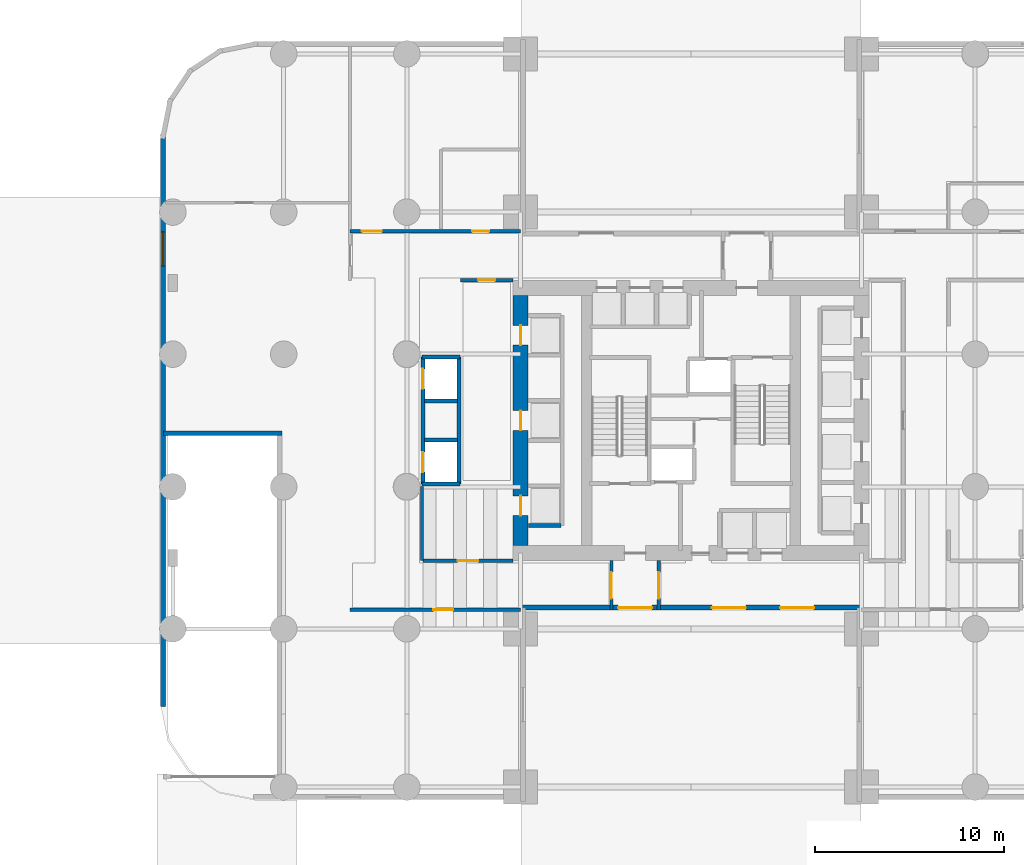
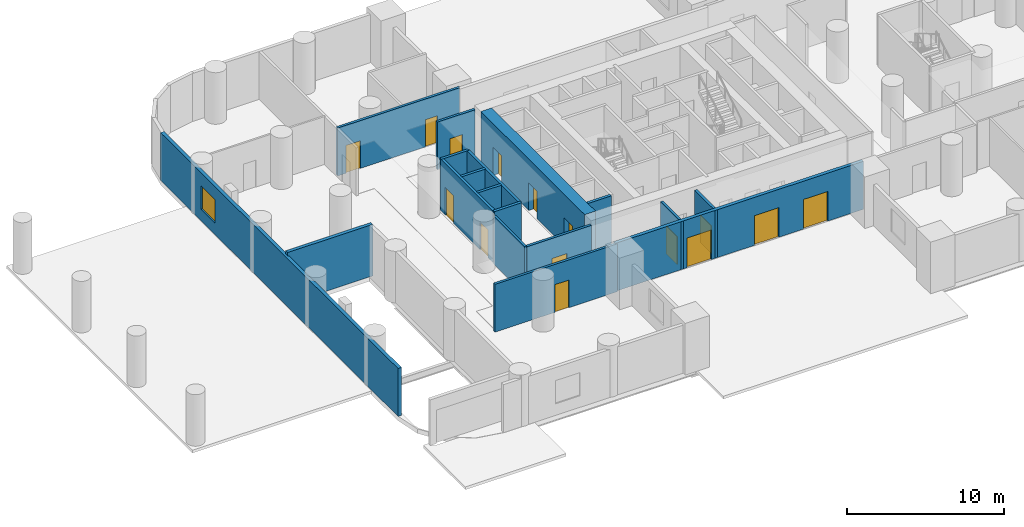
# One storey, part 3 of 10: 18 walls, 15 doors, 1 window, 16 openings.
"""IFC4 building model written with IfcOpenShell, lengths in metres."""

from ifc_helpers import new_model, si_unit, direction, frame, frame_2d, origin, place, context, subcontext, project, spatial, rectangle, extrude, material, layer, layer_set, type_object, element, fill, save


model = new_model("IFC4")

# Units and contexts
model_context = context("Model", 3, precision=1e-05, world=origin(), true_north=direction((0.0, 1.0)))
body_context = subcontext(model_context, "Body", "Model", "MODEL_VIEW")
ifc_project = project(units=[si_unit("LENGTHUNIT", "METRE"), si_unit("AREAUNIT", "SQUARE_METRE"), si_unit("VOLUMEUNIT", "CUBIC_METRE"), si_unit("PLANEANGLEUNIT", "RADIAN"), si_unit("MASSUNIT", "GRAM", prefix="KILO")], contexts=[model_context])

# Site, building, storey
site_placement = place(None, origin())
site = spatial("IfcSite", under=ifc_project, at=site_placement, CompositionType="ELEMENT")
building_placement = place(site_placement, origin())
building = spatial("IfcBuilding", under=site, at=building_placement, Name="Veldorim Arch Residences", CompositionType="ELEMENT")
storey_placement = place(building_placement, origin())
storey = spatial("IfcBuildingStorey", under=building, at=storey_placement, Name="L00", CompositionType="ELEMENT", Elevation=0.0)

# Wall, opening, door
ifc_material_1 = material(Name="Lightweight Masonry Block & Gypsum", Category="masonry")
ifc_layer_1 = layer(ifc_material_1, 0.179931640625, Name="Compartment & Corridor Fire-Rated Party Wall 180")
ifc_layer_set_1 = layer_set([ifc_layer_1], Name="Lightweight Masonry Block & Gypsum")
wall_type_1 = type_object("IfcWallType", Name="Compartment & Corridor Fire-Rated Party Wall 180", PredefinedType="PARTITIONING", material=ifc_layer_set_1)
wall_1_placement = place(storey_placement, frame((30.300048828125, 16.60009765625, 0.0), z_axis=(0.0, 0.0, 1.0), x_axis=(0.0, -1.0, 0.0)))
wall_1 = element("IfcWall", 1, at=wall_1_placement, inside=storey, type_object=wall_type_1, Name="L00 interior wall WL-POD-L00-001", PredefinedType="PARTITIONING", context=body_context, shape_type="SweptSolid", body=[
    extrude(rectangle(XDim=2.60009765625, YDim=0.179931640625, at=frame_2d((1.300048828125, 0.0))), origin(), (0.0, 0.0, 1.0), 3.715087890625),
])
opening_1_placement = place(wall_1_placement, frame((0.60009765625, 0.0, 0.0)))
opening_1 = element("IfcOpeningElement", 2, at=opening_1_placement, cuts=wall_1, Name="Opening DR-LBY", PredefinedType="OPENING", context=body_context, shape_type="SweptSolid", body=[
    extrude(rectangle(XDim=1.39990234375, YDim=2.14990234375, at=frame_2d((0.699951171875, 1.074951171875))), frame((0.0, 0.099853515625, 0.0), z_axis=(0.0, -1.0, 0.0), x_axis=(1.0, 0.0, 0.0)), (0.0, 0.0, 1.0), 0.199951171875),
])
ifc_material_2 = material(Name="Aluminium & Fire Glass", Category="aluminium")
door_type_1 = type_object("IfcDoorType", Name="Lobby Double-Leaf Smoke-Control Door 1400x2150", OperationType="SINGLE_SWING_LEFT", PredefinedType="DOOR", material=ifc_material_2)
door_1_placement = place(opening_1_placement, origin())
door_1 = element("IfcDoor", 3, at=door_1_placement, inside=storey, type_object=door_type_1, Name="L00 interior door DR-POD-L00-LBY-15", OperationType="DOUBLE_DOOR_SINGLE_SWING", OverallHeight=2.14990234375, OverallWidth=1.39990234375, PredefinedType="DOOR", context=body_context, shape_type="SweptSolid", body=[
    extrude(rectangle(XDim=1.39990234375, YDim=2.14990234375, at=frame_2d((0.699951171875, 1.074951171875))), frame((0.0, 0.02490234375, 0.0), z_axis=(0.0, -1.0, 0.0), x_axis=(1.0, 0.0, 0.0)), (0.0, 0.0, 1.0), 0.050048828125),
])
fill(opening_1, door_1)

wall_2_placement = place(storey_placement, frame((27.800048828125, 14.0, 0.0), z_axis=(0.0, 0.0, 1.0), x_axis=(0.0, 1.0, 0.0)))
wall_2 = element("IfcWall", 4, at=wall_2_placement, inside=storey, type_object=wall_type_1, Name="L00 interior wall WL-POD-L00-002", PredefinedType="PARTITIONING", context=body_context, shape_type="SweptSolid", body=[
    extrude(rectangle(XDim=2.60009765625, YDim=0.179931640625, at=frame_2d((1.300048828125, 0.0))), origin(), (0.0, 0.0, 1.0), 3.715087890625),
])
opening_2_placement = place(wall_2_placement, frame((0.60009765625, 0.0, 0.0)))
opening_2 = element("IfcOpeningElement", 5, at=opening_2_placement, cuts=wall_2, Name="Opening DR-LBY", PredefinedType="OPENING", context=body_context, shape_type="SweptSolid", body=[
    extrude(rectangle(XDim=1.39990234375, YDim=2.14990234375, at=frame_2d((0.699951171875, 1.074951171875))), frame((0.0, 0.099853515625, 0.0), z_axis=(0.0, -1.0, 0.0), x_axis=(1.0, 0.0, 0.0)), (0.0, 0.0, 1.0), 0.199951171875),
])
door_2_placement = place(opening_2_placement, origin())
door_2 = element("IfcDoor", 6, at=door_2_placement, inside=storey, type_object=door_type_1, Name="L00 interior door DR-POD-L00-LBY-16", OperationType="DOUBLE_DOOR_SINGLE_SWING", OverallHeight=2.14990234375, OverallWidth=1.39990234375, PredefinedType="DOOR", context=body_context, shape_type="SweptSolid", body=[
    extrude(rectangle(XDim=1.39990234375, YDim=2.14990234375, at=frame_2d((0.699951171875, 1.074951171875))), frame((0.0, 0.02490234375, 0.0), z_axis=(0.0, -1.0, 0.0), x_axis=(1.0, 0.0, 0.0)), (0.0, 0.0, 1.0), 0.050048828125),
])
fill(opening_2, door_2)

# Wall
wall_3_placement = place(storey_placement, frame((17.800048828125, 20.52001953125, 0.0), z_axis=(0.0, 0.0, 1.0), x_axis=(0.0, -1.0, 0.0)))
element("IfcWall", 7, at=wall_3_placement, inside=storey, type_object=wall_type_1, Name="L00 interior wall WL-POD-L00-018", PredefinedType="PARTITIONING", context=body_context, shape_type="SweptSolid", body=[
    extrude(rectangle(XDim=3.919921875, YDim=0.179931640625, at=frame_2d((1.9599609375, 0.0))), origin(), (0.0, 0.0, 1.0), 3.715087890625),
])

# Wall, opening, door
wall_4_placement = place(storey_placement, frame((17.860107421875, 16.60009765625, 0.0), z_axis=(0.0, 0.0, 1.0), x_axis=(1.0, 0.0, 0.0)))
wall_4 = element("IfcWall", 8, at=wall_4_placement, inside=storey, type_object=wall_type_1, Name="L00 interior wall WL-POD-L00-019", PredefinedType="PARTITIONING", context=body_context, shape_type="SweptSolid", body=[
    extrude(rectangle(XDim=4.739990234375, YDim=0.179931640625, at=frame_2d((2.3701171875, 0.0))), origin(), (0.0, 0.0, 1.0), 3.715087890625),
])
opening_3_placement = place(wall_4_placement, frame((1.820068359375, 0.0, 0.0)))
opening_3 = element("IfcOpeningElement", 9, at=opening_3_placement, cuts=wall_4, Name="Opening DR-FCC", PredefinedType="OPENING", context=body_context, shape_type="SweptSolid", body=[
    extrude(rectangle(XDim=1.10009765625, YDim=2.14990234375, at=frame_2d((0.550048828125, 1.074951171875))), frame((0.0, 0.099853515625, 0.0), z_axis=(0.0, -1.0, 0.0), x_axis=(1.0, 0.0, 0.0)), (0.0, 0.0, 1.0), 0.199951171875),
])
ifc_material_3 = material(Name="Fire-Rated Steel", Category="steel")
door_type_2 = type_object("IfcDoorType", Name="Fire Command Centre Rated Security Door 1100x2150", OperationType="SINGLE_SWING_LEFT", PredefinedType="DOOR", material=ifc_material_3)
door_3_placement = place(opening_3_placement, origin())
door_3 = element("IfcDoor", 10, at=door_3_placement, inside=storey, type_object=door_type_2, Name="L00 interior door DR-POD-L00-001", OperationType="SINGLE_SWING_LEFT", OverallHeight=2.14990234375, OverallWidth=1.10009765625, PredefinedType="DOOR", context=body_context, shape_type="SweptSolid", body=[
    extrude(rectangle(XDim=1.10009765625, YDim=2.14990234375, at=frame_2d((0.550048828125, 1.074951171875))), frame((0.0, 0.02490234375, 0.0), z_axis=(0.0, -1.0, 0.0), x_axis=(1.0, 0.0, 0.0)), (0.0, 0.0, 1.0), 0.050048828125),
])
fill(opening_3, door_3)

wall_5_placement = place(storey_placement, frame((22.60009765625, 31.39990234375, 0.0), z_axis=(0.0, 0.0, 1.0), x_axis=(-1.0, 0.0, 0.0)))
wall_5 = element("IfcWall", 11, at=wall_5_placement, inside=storey, type_object=wall_type_1, Name="L00 interior wall WL-POD-L00-020", PredefinedType="PARTITIONING", context=body_context, shape_type="SweptSolid", body=[
    extrude(rectangle(XDim=2.77001953125, YDim=0.179931640625, at=frame_2d((1.385009765625, 0.0))), origin(), (0.0, 0.0, 1.0), 3.715087890625),
])
opening_4_placement = place(wall_5_placement, frame((0.93505859375, 0.0, 0.0)))
opening_4 = element("IfcOpeningElement", 12, at=opening_4_placement, cuts=wall_5, Name="Opening DR-INT", PredefinedType="OPENING", context=body_context, shape_type="SweptSolid", body=[
    extrude(rectangle(XDim=0.89990234375, YDim=2.10009765625, at=frame_2d((0.449951171875, 1.050048828125))), frame((0.0, 0.099853515625, 0.0), z_axis=(0.0, -1.0, 0.0), x_axis=(1.0, 0.0, 0.0)), (0.0, 0.0, 1.0), 0.199951171875),
])
ifc_material_4 = material(Name="Engineered Timber", Category="wood")
door_type_3 = type_object("IfcDoorType", Name="Apartment Internal Room Timber Door 900x2100", OperationType="SINGLE_SWING_LEFT", PredefinedType="DOOR", material=ifc_material_4)
door_4_placement = place(opening_4_placement, origin())
door_4 = element("IfcDoor", 13, at=door_4_placement, inside=storey, type_object=door_type_3, Name="L00 interior door DR-POD-L00-002", OperationType="SINGLE_SWING_RIGHT", OverallHeight=2.10009765625, OverallWidth=0.89990234375, PredefinedType="DOOR", context=body_context, shape_type="SweptSolid", body=[
    extrude(rectangle(XDim=0.89990234375, YDim=2.10009765625, at=frame_2d((0.449951171875, 1.050048828125))), frame((0.0, 0.02490234375, 0.0), z_axis=(0.0, -1.0, 0.0), x_axis=(1.0, 0.0, 0.0)), (0.0, 0.0, 1.0), 0.050048828125),
])
fill(opening_4, door_4)

wall_6_placement = place(storey_placement, frame((23.0, 14.0, 0.0), z_axis=(0.0, 0.0, 1.0), x_axis=(-1.0, 0.0, 0.0)))
wall_6 = element("IfcWall", 14, at=wall_6_placement, inside=storey, type_object=wall_type_1, Name="L00 interior wall WL-POD-L00-021", PredefinedType="PARTITIONING", context=body_context, shape_type="SweptSolid", body=[
    extrude(rectangle(XDim=9.0, YDim=0.179931640625, at=frame_2d((4.5, 0.0))), origin(), (0.0, 0.0, 1.0), 3.715087890625),
])
opening_5_placement = place(wall_6_placement, frame((3.554931640625, 0.0, 0.0)))
opening_5 = element("IfcOpeningElement", 15, at=opening_5_placement, cuts=wall_6, Name="Opening DR-CLN", PredefinedType="OPENING", context=body_context, shape_type="SweptSolid", body=[
    extrude(rectangle(XDim=1.050048828125, YDim=2.14990234375, at=frame_2d((0.52490234375, 1.074951171875))), frame((0.0, 0.099853515625, 0.0), z_axis=(0.0, -1.0, 0.0), x_axis=(1.0, 0.0, 0.0)), (0.0, 0.0, 1.0), 0.199951171875),
])
ifc_material_5 = material(Name="Timber & Vision Panel", Category="wood")
door_type_4 = type_object("IfcDoorType", Name="Polyclinic Wheelchair-Accessible Consultation Door 1050x2150", OperationType="SINGLE_SWING_LEFT", PredefinedType="DOOR", material=ifc_material_5)
door_5_placement = place(opening_5_placement, origin())
door_5 = element("IfcDoor", 16, at=door_5_placement, inside=storey, type_object=door_type_4, Name="L00 interior door DR-POD-L00-003", OperationType="SINGLE_SWING_LEFT", OverallHeight=2.14990234375, OverallWidth=1.050048828125, PredefinedType="DOOR", context=body_context, shape_type="SweptSolid", body=[
    extrude(rectangle(XDim=1.050048828125, YDim=2.14990234375, at=frame_2d((0.52490234375, 1.074951171875))), frame((0.0, 0.02490234375, 0.0), z_axis=(0.0, -1.0, 0.0), x_axis=(1.0, 0.0, 0.0)), (0.0, 0.0, 1.0), 0.050048828125),
])
fill(opening_5, door_5)

# Wall, openings, doors
wall_7_placement = place(storey_placement, frame((14.0, 34.0, 0.0), z_axis=(0.0, 0.0, 1.0), x_axis=(1.0, 0.0, 0.0)))
wall_7 = element("IfcWall", 17, at=wall_7_placement, inside=storey, type_object=wall_type_1, Name="L00 interior wall WL-POD-L00-024", PredefinedType="PARTITIONING", context=body_context, shape_type="SweptSolid", body=[
    extrude(rectangle(XDim=9.0, YDim=0.179931640625, at=frame_2d((4.5, 0.0))), origin(), (0.0, 0.0, 1.0), 3.715087890625),
])
opening_6_placement = place(wall_7_placement, frame((6.43994140625, 0.0, 0.0)))
opening_6 = element("IfcOpeningElement", 18, at=opening_6_placement, cuts=wall_7, Name="Opening DR-WC", PredefinedType="OPENING", context=body_context, shape_type="SweptSolid", body=[
    extrude(rectangle(XDim=0.89990234375, YDim=2.10009765625, at=frame_2d((0.449951171875, 1.050048828125))), frame((0.0, 0.099853515625, 0.0), z_axis=(0.0, -1.0, 0.0), x_axis=(1.0, 0.0, 0.0)), (0.0, 0.0, 1.0), 0.199951171875),
])
opening_7_placement = place(wall_7_placement, frame((0.625, 0.0, 0.0)))
opening_7 = element("IfcOpeningElement", 19, at=opening_7_placement, cuts=wall_7, Name="Opening DR-CLN", PredefinedType="OPENING", context=body_context, shape_type="SweptSolid", body=[
    extrude(rectangle(XDim=1.050048828125, YDim=2.14990234375, at=frame_2d((0.52490234375, 1.074951171875))), frame((0.0, 0.099853515625, 0.0), z_axis=(0.0, -1.0, 0.0), x_axis=(1.0, 0.0, 0.0)), (0.0, 0.0, 1.0), 0.199951171875),
])
ifc_material_6 = material(Name="Laminate Timber", Category="wood")
door_type_5 = type_object("IfcDoorType", Name="Bathroom & Accessible WC Moisture-Sealed Door 900x2100", OperationType="SINGLE_SWING_LEFT", PredefinedType="DOOR", material=ifc_material_6)
door_6_placement = place(opening_6_placement, origin())
door_6 = element("IfcDoor", 20, at=door_6_placement, inside=storey, type_object=door_type_5, Name="L00 interior door DR-POD-L00-006", OperationType="SINGLE_SWING_RIGHT", OverallHeight=2.10009765625, OverallWidth=0.89990234375, PredefinedType="DOOR", context=body_context, shape_type="SweptSolid", body=[
    extrude(rectangle(XDim=0.89990234375, YDim=2.10009765625, at=frame_2d((0.449951171875, 1.050048828125))), frame((0.0, 0.02490234375, 0.0), z_axis=(0.0, -1.0, 0.0), x_axis=(1.0, 0.0, 0.0)), (0.0, 0.0, 1.0), 0.050048828125),
])
fill(opening_6, door_6)
door_7_placement = place(opening_7_placement, origin())
door_7 = element("IfcDoor", 21, at=door_7_placement, inside=storey, type_object=door_type_4, Name="L00 interior door DR-POD-L00-007", OperationType="SINGLE_SWING_LEFT", OverallHeight=2.14990234375, OverallWidth=1.050048828125, PredefinedType="DOOR", context=body_context, shape_type="SweptSolid", body=[
    extrude(rectangle(XDim=1.050048828125, YDim=2.14990234375, at=frame_2d((0.52490234375, 1.074951171875))), frame((0.0, 0.02490234375, 0.0), z_axis=(0.0, -1.0, 0.0), x_axis=(1.0, 0.0, 0.0)), (0.0, 0.0, 1.0), 0.050048828125),
])
fill(opening_7, door_7)

# Wall
ifc_material_7 = material(Name="Concrete C50/60", Category="concrete")
ifc_layer_2 = layer(ifc_material_7, 0.199951171875, Name="Core Stair & Lift Shaft Enclosure Wall 200")
ifc_layer_set_2 = layer_set([ifc_layer_2], Name="Concrete C50/60")
wall_type_2 = type_object("IfcWallType", Name="Core Stair & Lift Shaft Enclosure Wall 200", PredefinedType="SHEAR", material=ifc_layer_set_2)
wall_8_placement = place(storey_placement, frame((23.419921875, 18.4599609375, 0.0), z_axis=(0.0, 0.0, 1.0), x_axis=(1.0, 0.0, 0.0)))
element("IfcWall", 22, at=wall_8_placement, inside=storey, type_object=wall_type_2, Name="L00 shaft wall WL-B2-L00-S", PredefinedType="SHEAR", context=body_context, shape_type="SweptSolid", body=[
    extrude(rectangle(XDim=1.7099609375, YDim=0.199951171875, at=frame_2d((0.85498046875, 0.0))), origin(), (0.0, 0.0, 1.0), 4.0),
])

# Wall, openings, doors
wall_9_placement = place(storey_placement, frame((17.85009765625, 20.64990234375, 0.0), z_axis=(0.0, 0.0, 1.0), x_axis=(0.0, 1.0, 0.0)))
wall_9 = element("IfcWall", 23, at=wall_9_placement, inside=storey, type_object=wall_type_2, Name="L00 shaft wall WL-SHF-L00-CL-W", PredefinedType="SHEAR", context=body_context, shape_type="SweptSolid", body=[
    extrude(rectangle(XDim=6.7001953125, YDim=0.199951171875, at=frame_2d((3.35009765625, 0.0))), origin(), (0.0, 0.0, 1.0), 4.0),
])
opening_8_placement = place(wall_9_placement, frame((0.625, 0.0, 0.0)))
opening_8 = element("IfcOpeningElement", 24, at=opening_8_placement, cuts=wall_9, Name="Opening LD-PS", PredefinedType="OPENING", context=body_context, shape_type="SweptSolid", body=[
    extrude(rectangle(XDim=1.050048828125, YDim=2.14990234375, at=frame_2d((0.52490234375, 1.074951171875))), frame((0.0, 0.10986328125, 0.0), z_axis=(0.0, -1.0, 0.0), x_axis=(1.0, 0.0, 0.0)), (0.0, 0.0, 1.0), 0.219970703125),
])
opening_9_placement = place(wall_9_placement, frame((5.02490234375, 0.0, 0.0)))
opening_9 = element("IfcOpeningElement", 25, at=opening_9_placement, cuts=wall_9, Name="Opening LD-PS", PredefinedType="OPENING", context=body_context, shape_type="SweptSolid", body=[
    extrude(rectangle(XDim=1.050048828125, YDim=2.14990234375, at=frame_2d((0.52490234375, 1.074951171875))), frame((0.0, 0.10986328125, 0.0), z_axis=(0.0, -1.0, 0.0), x_axis=(1.0, 0.0, 0.0)), (0.0, 0.0, 1.0), 0.219970703125),
])
ifc_material_8 = material(Name="Stainless Steel", Category="steel")
door_type_6 = type_object("IfcDoorType", Name="Passenger Lift Bi-Parting Sliding Landing Door 1050x2150", OperationType="DOUBLE_DOOR_SLIDING", PredefinedType="DOOR", material=ifc_material_8)
door_8_placement = place(opening_8_placement, origin())
door_8 = element("IfcDoor", 26, at=door_8_placement, inside=storey, type_object=door_type_6, Name="L00 lift landing door LD-L00-CL-01", OperationType="DOUBLE_DOOR_SLIDING", OverallHeight=2.14990234375, OverallWidth=1.050048828125, PredefinedType="DOOR", context=body_context, shape_type="SweptSolid", body=[
    extrude(rectangle(XDim=1.050048828125, YDim=2.14990234375, at=frame_2d((0.52490234375, 1.074951171875))), frame((0.0, 0.02490234375, 0.0), z_axis=(0.0, -1.0, 0.0), x_axis=(1.0, 0.0, 0.0)), (0.0, 0.0, 1.0), 0.050048828125),
])
fill(opening_8, door_8)
door_9_placement = place(opening_9_placement, origin())
door_9 = element("IfcDoor", 27, at=door_9_placement, inside=storey, type_object=door_type_6, Name="L00 lift landing door LD-L00-CL-02", OperationType="DOUBLE_DOOR_SLIDING", OverallHeight=2.14990234375, OverallWidth=1.050048828125, PredefinedType="DOOR", context=body_context, shape_type="SweptSolid", body=[
    extrude(rectangle(XDim=1.050048828125, YDim=2.14990234375, at=frame_2d((0.52490234375, 1.074951171875))), frame((0.0, 0.02490234375, 0.0), z_axis=(0.0, -1.0, 0.0), x_axis=(1.0, 0.0, 0.0)), (0.0, 0.0, 1.0), 0.050048828125),
])
fill(opening_9, door_9)

# Walls
wall_10_placement = place(storey_placement, frame((19.75, 20.64990234375, 0.0), z_axis=(0.0, 0.0, 1.0), x_axis=(0.0, 1.0, 0.0)))
element("IfcWall", 28, at=wall_10_placement, inside=storey, type_object=wall_type_2, Name="L00 shaft wall WL-SHF-L00-CL-E", PredefinedType="SHEAR", context=body_context, shape_type="SweptSolid", body=[
    extrude(rectangle(XDim=6.7001953125, YDim=0.199951171875, at=frame_2d((3.35009765625, 0.0))), origin(), (0.0, 0.0, 1.0), 4.0),
])
for number, where, z_axis, x_axis, name in (
    (29, (17.800048828125, 20.64990234375, 0.0), (0.0, 0.0, 1.0), (1.0, 0.0, 0.0), "L00 shaft wall WL-SHF-L00-CL-S"),
    (30, (17.800048828125, 27.35009765625, 0.0), (0.0, 0.0, 1.0), (1.0, 0.0, 0.0), "L00 shaft wall WL-SHF-L00-CL-N"),
):
    element("IfcWall", number, at=place(storey_placement, frame(where, z_axis=z_axis, x_axis=x_axis)), inside=storey, type_object=wall_type_2, Name=name, PredefinedType="SHEAR", context=body_context, shape_type="SweptSolid", body=[
        extrude(rectangle(XDim=2.0, YDim=0.199951171875, at=frame_2d((1.0, 0.0))), origin(), (0.0, 0.0, 1.0), 4.0),
    ])
for number, where, z_axis, x_axis, name in (
    (31, (17.919921875, 22.969970703125, 0.0), (0.0, 0.0, 1.0), (1.0, 0.0, 0.0), "L00 shaft wall WL-SHF-L00-CL-M1"),
    (32, (17.919921875, 25.030029296875, 0.0), (0.0, 0.0, 1.0), (1.0, 0.0, 0.0), "L00 shaft wall WL-SHF-L00-CL-M2"),
):
    element("IfcWall", number, at=place(storey_placement, frame(where, z_axis=z_axis, x_axis=x_axis)), inside=storey, type_object=wall_type_2, Name=name, PredefinedType="SHEAR", context=body_context, shape_type="SweptSolid", body=[
        extrude(rectangle(XDim=1.760009765625, YDim=0.199951171875, at=frame_2d((0.8798828125, 0.0))), origin(), (0.0, 0.0, 1.0), 4.0),
    ])

# Wall, openings, doors
ifc_material_9 = material(Name="Concrete C60/75", Category="concrete")
ifc_layer_3 = layer(ifc_material_9, 0.800048828125, Name="Lower Central Core Shear Wall 800")
ifc_layer_set_3 = layer_set([ifc_layer_3], Name="Concrete C60/75")
wall_type_3 = type_object("IfcWallType", Name="Lower Central Core Shear Wall 800", PredefinedType="SHEAR", material=ifc_layer_set_3)
wall_11_placement = place(storey_placement, frame((23.0, 17.39990234375, 0.0), z_axis=(0.0, 0.0, 1.0), x_axis=(0.0, 1.0, 0.0)))
wall_11 = element("IfcWall", 33, at=wall_11_placement, inside=storey, type_object=wall_type_3, Name="L00 central core west shear wall", PredefinedType="SHEAR", context=body_context, shape_type="SweptSolid", body=[
    extrude(rectangle(XDim=13.2001953125, YDim=0.800048828125, at=frame_2d((6.60009765625, 0.0))), origin(), (0.0, 0.0, 1.0), 4.0),
])
opening_10_placement = place(wall_11_placement, frame((1.574951171875, 0.0, 0.0)))
opening_10 = element("IfcOpeningElement", 34, at=opening_10_placement, cuts=wall_11, Name="Opening LD-PS", PredefinedType="OPENING", context=body_context, shape_type="SweptSolid", body=[
    extrude(rectangle(XDim=1.050048828125, YDim=2.14990234375, at=frame_2d((0.52490234375, 1.074951171875))), frame((0.0, 0.409912109375, 0.0), z_axis=(0.0, -1.0, 0.0), x_axis=(1.0, 0.0, 0.0)), (0.0, 0.0, 1.0), 0.820068359375),
])
opening_11_placement = place(wall_11_placement, frame((6.074951171875, 0.0, 0.0)))
opening_11 = element("IfcOpeningElement", 35, at=opening_11_placement, cuts=wall_11, Name="Opening LD-PS", PredefinedType="OPENING", context=body_context, shape_type="SweptSolid", body=[
    extrude(rectangle(XDim=1.050048828125, YDim=2.14990234375, at=frame_2d((0.52490234375, 1.074951171875))), frame((0.0, 0.409912109375, 0.0), z_axis=(0.0, -1.0, 0.0), x_axis=(1.0, 0.0, 0.0)), (0.0, 0.0, 1.0), 0.820068359375),
])
opening_12_placement = place(wall_11_placement, frame((10.574951171875, 0.0, 0.0)))
opening_12 = element("IfcOpeningElement", 36, at=opening_12_placement, cuts=wall_11, Name="Opening LD-PS", PredefinedType="OPENING", context=body_context, shape_type="SweptSolid", body=[
    extrude(rectangle(XDim=1.050048828125, YDim=2.14990234375, at=frame_2d((0.52490234375, 1.074951171875))), frame((0.0, 0.409912109375, 0.0), z_axis=(0.0, -1.0, 0.0), x_axis=(1.0, 0.0, 0.0)), (0.0, 0.0, 1.0), 0.820068359375),
])
door_10_placement = place(opening_10_placement, origin())
door_10 = element("IfcDoor", 37, at=door_10_placement, inside=storey, type_object=door_type_6, Name="L00 lift landing door LD-L00-PL-05", OperationType="DOUBLE_DOOR_SLIDING", OverallHeight=2.14990234375, OverallWidth=1.050048828125, PredefinedType="DOOR", context=body_context, shape_type="SweptSolid", body=[
    extrude(rectangle(XDim=1.050048828125, YDim=2.14990234375, at=frame_2d((0.52490234375, 1.074951171875))), frame((0.0, 0.02490234375, 0.0), z_axis=(0.0, -1.0, 0.0), x_axis=(1.0, 0.0, 0.0)), (0.0, 0.0, 1.0), 0.050048828125),
])
fill(opening_10, door_10)
door_11_placement = place(opening_11_placement, origin())
door_11 = element("IfcDoor", 38, at=door_11_placement, inside=storey, type_object=door_type_6, Name="L00 lift landing door LD-L00-PL-06", OperationType="DOUBLE_DOOR_SLIDING", OverallHeight=2.14990234375, OverallWidth=1.050048828125, PredefinedType="DOOR", context=body_context, shape_type="SweptSolid", body=[
    extrude(rectangle(XDim=1.050048828125, YDim=2.14990234375, at=frame_2d((0.52490234375, 1.074951171875))), frame((0.0, 0.02490234375, 0.0), z_axis=(0.0, -1.0, 0.0), x_axis=(1.0, 0.0, 0.0)), (0.0, 0.0, 1.0), 0.050048828125),
])
fill(opening_11, door_11)
door_12_placement = place(opening_12_placement, origin())
door_12 = element("IfcDoor", 39, at=door_12_placement, inside=storey, type_object=door_type_6, Name="L00 lift landing door LD-L00-PL-07", OperationType="DOUBLE_DOOR_SLIDING", OverallHeight=2.14990234375, OverallWidth=1.050048828125, PredefinedType="DOOR", context=body_context, shape_type="SweptSolid", body=[
    extrude(rectangle(XDim=1.050048828125, YDim=2.14990234375, at=frame_2d((0.52490234375, 1.074951171875))), frame((0.0, 0.02490234375, 0.0), z_axis=(0.0, -1.0, 0.0), x_axis=(1.0, 0.0, 0.0)), (0.0, 0.0, 1.0), 0.050048828125),
])
fill(opening_12, door_12)

ifc_material_10 = material(Name="Precast concrete C40/50", Category="concrete")
ifc_layer_4 = layer(ifc_material_10, 0.25, Name="Podium Terracotta Insulated Facade Wall 250")
ifc_layer_set_4 = layer_set([ifc_layer_4], Name="Precast concrete C40/50")
wall_type_4 = type_object("IfcWallType", Name="Podium Terracotta Insulated Facade Wall 250", PredefinedType="SOLIDWALL", material=ifc_layer_set_4)
wall_12_placement = place(storey_placement, frame((41.10009765625, 14.125, 0.0), z_axis=(0.0, 0.0, 1.0), x_axis=(-1.0, 0.0, 0.0)))
wall_12 = element("IfcWall", 40, at=wall_12_placement, inside=storey, type_object=wall_type_4, Name="L00 podium terracotta facade wall 11", PredefinedType="SOLIDWALL", context=body_context, shape_type="SweptSolid", body=[
    extrude(rectangle(XDim=18.2001953125, YDim=0.25, at=frame_2d((9.10009765625, 0.0))), origin(), (0.0, 0.0, 1.0), 3.719970703125),
])
opening_13_placement = place(wall_12_placement, frame((11.14990234375, 0.0, 0.0)))
opening_13 = element("IfcOpeningElement", 41, at=opening_13_placement, cuts=wall_12, Name="Opening EX-01", PredefinedType="OPENING", context=body_context, shape_type="SweptSolid", body=[
    extrude(rectangle(XDim=1.800048828125, YDim=2.300048828125, at=frame_2d((0.89990234375, 1.14990234375))), frame((0.0, 0.135009765625, 0.0), z_axis=(0.0, -1.0, 0.0), x_axis=(1.0, 0.0, 0.0)), (0.0, 0.0, 1.0), 0.27001953125),
])
opening_14_placement = place(wall_12_placement, frame((2.60009765625, 0.0, 0.0)))
opening_14 = element("IfcOpeningElement", 42, at=opening_14_placement, cuts=wall_12, Name="Opening EX-02", PredefinedType="OPENING", context=body_context, shape_type="SweptSolid", body=[
    extrude(rectangle(XDim=1.800048828125, YDim=2.300048828125, at=frame_2d((0.89990234375, 1.14990234375))), frame((0.0, 0.135009765625, 0.0), z_axis=(0.0, -1.0, 0.0), x_axis=(1.0, 0.0, 0.0)), (0.0, 0.0, 1.0), 0.27001953125),
])
opening_15_placement = place(wall_12_placement, frame((6.199951171875, 0.0, 0.0)))
opening_15 = element("IfcOpeningElement", 43, at=opening_15_placement, cuts=wall_12, Name="Opening EX-03", PredefinedType="OPENING", context=body_context, shape_type="SweptSolid", body=[
    extrude(rectangle(XDim=1.800048828125, YDim=2.300048828125, at=frame_2d((0.89990234375, 1.14990234375))), frame((0.0, 0.135009765625, 0.0), z_axis=(0.0, -1.0, 0.0), x_axis=(1.0, 0.0, 0.0)), (0.0, 0.0, 1.0), 0.27001953125),
])
ifc_material_11 = material(Name="Aluminium & Toughened Glass", Category="aluminium")
door_type_7 = type_object("IfcDoorType", Name="Ground Outward Double Exit Door 1800x2300", OperationType="SINGLE_SWING_LEFT", PredefinedType="DOOR", material=ifc_material_11)
door_13_placement = place(opening_13_placement, origin())
door_13 = element("IfcDoor", 44, at=door_13_placement, inside=storey, type_object=door_type_7, Name="Ground south exit discharge door EX-01", OperationType="DOUBLE_DOOR_SINGLE_SWING", OverallHeight=2.300048828125, OverallWidth=1.800048828125, PredefinedType="DOOR", context=body_context, shape_type="SweptSolid", body=[
    extrude(rectangle(XDim=1.800048828125, YDim=2.300048828125, at=frame_2d((0.89990234375, 1.14990234375))), frame((0.0, 0.02490234375, 0.0), z_axis=(0.0, -1.0, 0.0), x_axis=(1.0, 0.0, 0.0)), (0.0, 0.0, 1.0), 0.050048828125),
])
fill(opening_13, door_13)
door_14_placement = place(opening_14_placement, origin())
door_14 = element("IfcDoor", 45, at=door_14_placement, inside=storey, type_object=door_type_7, Name="Ground south exit discharge door EX-02", OperationType="DOUBLE_DOOR_SINGLE_SWING", OverallHeight=2.300048828125, OverallWidth=1.800048828125, PredefinedType="DOOR", context=body_context, shape_type="SweptSolid", body=[
    extrude(rectangle(XDim=1.800048828125, YDim=2.300048828125, at=frame_2d((0.89990234375, 1.14990234375))), frame((0.0, 0.02490234375, 0.0), z_axis=(0.0, -1.0, 0.0), x_axis=(1.0, 0.0, 0.0)), (0.0, 0.0, 1.0), 0.050048828125),
])
fill(opening_14, door_14)
door_15_placement = place(opening_15_placement, origin())
door_15 = element("IfcDoor", 46, at=door_15_placement, inside=storey, type_object=door_type_7, Name="Ground south exit discharge door EX-03", OperationType="DOUBLE_DOOR_SINGLE_SWING", OverallHeight=2.300048828125, OverallWidth=1.800048828125, PredefinedType="DOOR", context=body_context, shape_type="SweptSolid", body=[
    extrude(rectangle(XDim=1.800048828125, YDim=2.300048828125, at=frame_2d((0.89990234375, 1.14990234375))), frame((0.0, 0.02490234375, 0.0), z_axis=(0.0, -1.0, 0.0), x_axis=(1.0, 0.0, 0.0)), (0.0, 0.0, 1.0), 0.050048828125),
])
fill(opening_15, door_15)

# Wall, opening, window
wall_13_placement = place(storey_placement, frame((4.125, 8.89990234375, 0.0), z_axis=(0.0, 0.0, 1.0), x_axis=(0.0, 1.0, 0.0)))
wall_13 = element("IfcWall", 47, at=wall_13_placement, inside=storey, type_object=wall_type_4, Name="L00 podium terracotta facade wall 18", PredefinedType="SOLIDWALL", context=body_context, shape_type="SweptSolid", body=[
    extrude(rectangle(XDim=30.2001953125, YDim=0.25, at=frame_2d((15.10009765625, 0.0))), origin(), (0.0, 0.0, 1.0), 3.719970703125),
])
opening_16_placement = place(wall_13_placement, frame((23.260009765625, 0.0, 0.89990234375)))
opening_16 = element("IfcOpeningElement", 48, at=opening_16_placement, cuts=wall_13, Name="Opening WN-01", PredefinedType="OPENING", context=body_context, shape_type="SweptSolid", body=[
    extrude(rectangle(XDim=1.800048828125, YDim=1.800048828125, at=frame_2d((0.89990234375, 0.89990234375))), frame((0.0, 0.135009765625, 0.0), z_axis=(0.0, -1.0, 0.0), x_axis=(1.0, 0.0, 0.0)), (0.0, 0.0, 1.0), 0.27001953125),
])
ifc_material_12 = material(Name="Laminated Low-E Glass", Category="glass")
window_type = type_object("IfcWindowType", Name="Polyclinic Double-Glazed Window 1800x1800", PartitioningType="SINGLE_PANEL", PredefinedType="WINDOW", material=ifc_material_12)
window_placement = place(opening_16_placement, origin())
window = element("IfcWindow", 49, at=window_placement, inside=storey, type_object=window_type, Name="L00 outpatient clinic window 18-4", OverallHeight=1.800048828125, OverallWidth=1.800048828125, PartitioningType="SINGLE_PANEL", PredefinedType="WINDOW", context=body_context, shape_type="SweptSolid", body=[
    extrude(rectangle(XDim=1.800048828125, YDim=1.800048828125, at=frame_2d((0.89990234375, 0.89990234375))), frame((0.0, 0.030029296875, 0.0), z_axis=(0.0, -1.0, 0.0), x_axis=(1.0, 0.0, 0.0)), (0.0, 0.0, 1.0), 0.06005859375),
])
fill(opening_16, window)

# Wall
ifc_material_13 = material(Name="Concrete C50/60", Category="concrete")
ifc_layer_5 = layer(ifc_material_13, 0.25, Name="Vehicle Ramp Structural Enclosure Wall 250")
ifc_layer_set_5 = layer_set([ifc_layer_5], Name="Concrete C50/60")
wall_type_5 = type_object("IfcWallType", Name="Vehicle Ramp Structural Enclosure Wall 250", PredefinedType="SHEAR", material=ifc_layer_set_5)
wall_14_placement = place(storey_placement, frame((4.14990234375, 23.324951171875, 0.0), z_axis=(0.0, 0.0, 1.0), x_axis=(1.0, 0.0, 0.0)))
element("IfcWall", 50, at=wall_14_placement, inside=storey, type_object=wall_type_5, Name="L00 vehicle ramp north headwall", PredefinedType="SHEAR", context=body_context, shape_type="SweptSolid", body=[
    extrude(rectangle(XDim=6.25, YDim=0.25, at=frame_2d((3.125, 0.0))), origin(), (0.0, 0.0, 1.0), 4.0),
])

save(model, "model.ifc")
